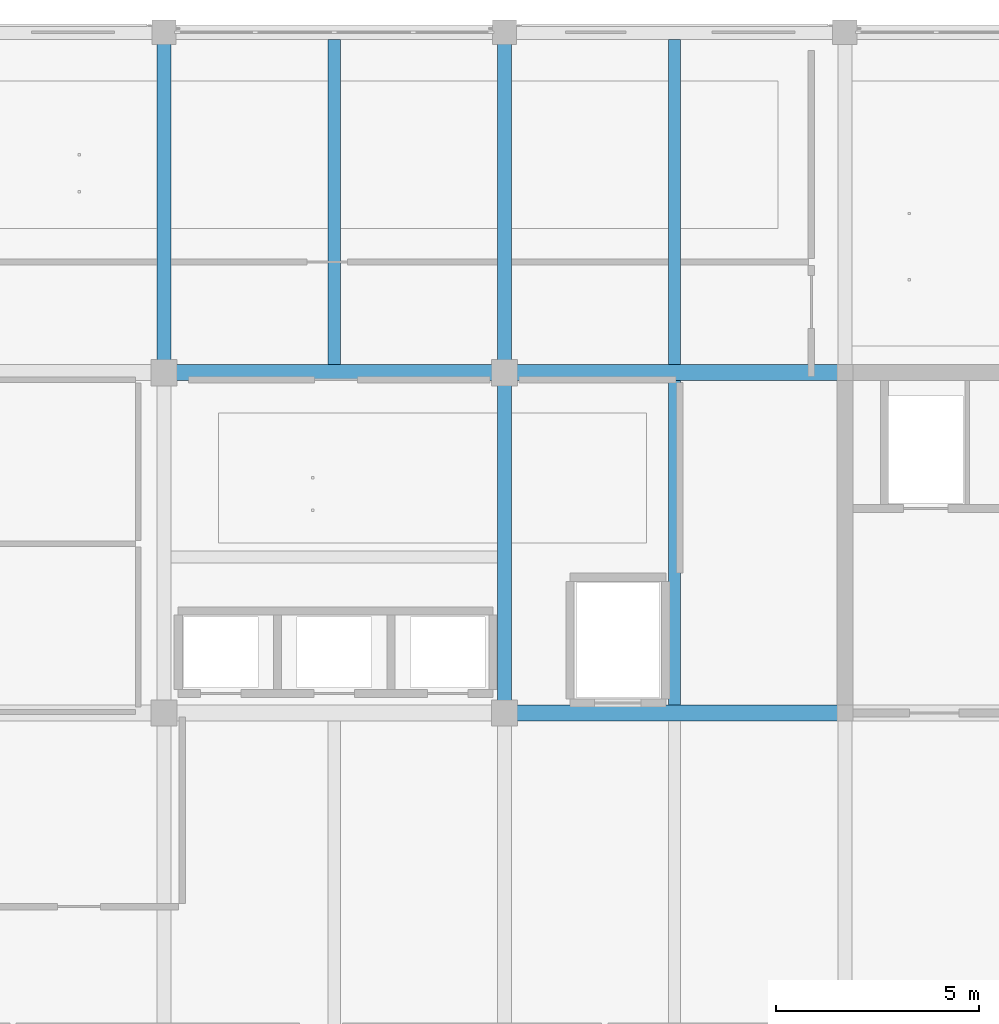
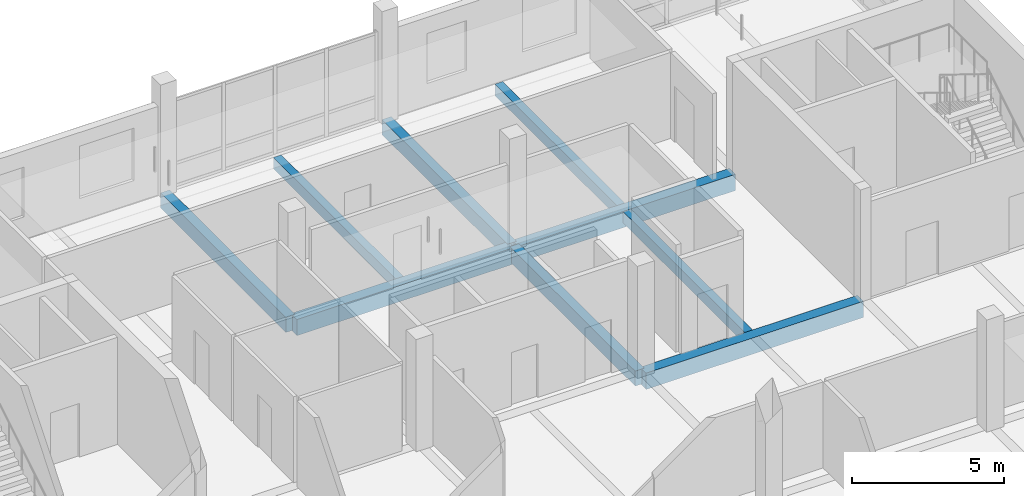
# One storey, part 5 of 29: 9 beams.
"""IFC4 building model written with IfcOpenShell, lengths in metres."""

from ifc_helpers import new_model, si_unit, direction, frame, origin, origin_2d, place, context, subcontext, project, spatial, rectangle, extrude, material, material_profile, profile_set, type_object, element, save


model = new_model("IFC4")

# Units and contexts
model_context = context("Model", 3, precision=1e-05, world=origin(), true_north=direction((0.0, 1.0)))
body_context = subcontext(model_context, "Body", "Model", "MODEL_VIEW")
ifc_project = project(units=[si_unit("LENGTHUNIT", "METRE"), si_unit("AREAUNIT", "SQUARE_METRE"), si_unit("VOLUMEUNIT", "CUBIC_METRE"), si_unit("PLANEANGLEUNIT", "RADIAN"), si_unit("MASSUNIT", "GRAM", prefix="KILO")], contexts=[model_context])

# Site, building, storey
site_placement = place(None, origin())
site = spatial("IfcSite", under=ifc_project, at=site_placement, CompositionType="ELEMENT")
building_placement = place(site_placement, origin())
building = spatial("IfcBuilding", under=site, at=building_placement, Name="Telukmera Botanical Conservatory", CompositionType="ELEMENT")
storey_placement = place(building_placement, frame((0.0, 0.0, 55.5)))
storey = spatial("IfcBuildingStorey", under=building, at=storey_placement, Name="L12", CompositionType="ELEMENT", Elevation=55.5)

# Beams
ifc_material = material(Name="Concrete C40/50", Category="concrete")
ifc_material_profile_1 = material_profile(ifc_material, rectangle(XDim=0.300048828125, YDim=0.449951171875, at=origin_2d()), Name="RC 300x450")
ifc_profile_set_1 = profile_set([ifc_material_profile_1], Name="Concrete C40/50")
beam_type_1 = type_object("IfcBeamType", Name="Beam_B25", PredefinedType="JOIST", material=ifc_profile_set_1)
beam_1_placement = place(storey_placement, frame((79.800048828125, 34.60009765625, -0.22509765625), z_axis=(0.0, 1.0, 0.0), x_axis=(-1.0, 0.0, 0.0)))
element("IfcBeam", 1, at=beam_1_placement, inside=storey, type_object=beam_type_1, Name="Tower Secondary Floor Joist L12", PredefinedType="JOIST", context=body_context, shape_type="SweptSolid", body=[
    extrude(rectangle(XDim=0.300048828125, YDim=0.449951171875, at=origin_2d()), origin(), (0.0, 0.0, 1.0), 8.02490234375),
])
beam_2_placement = place(storey_placement, frame((88.199951171875, 26.199951171875, -0.22509765625), z_axis=(0.0, 1.0, 0.0), x_axis=(-1.0, 0.0, 0.0)))
element("IfcBeam", 2, at=beam_2_placement, inside=storey, type_object=beam_type_1, Name="Tower Secondary Floor Joist L12", PredefinedType="JOIST", context=body_context, shape_type="SweptSolid", body=[
    extrude(rectangle(XDim=0.300048828125, YDim=0.449951171875, at=origin_2d()), origin(), (0.0, 0.0, 1.0), 8.0),
])
beam_3_placement = place(storey_placement, frame((88.199951171875, 34.60009765625, -0.22509765625), z_axis=(0.0, 1.0, 0.0), x_axis=(-1.0, 0.0, 0.0)))
element("IfcBeam", 3, at=beam_3_placement, inside=storey, type_object=beam_type_1, Name="Tower Secondary Floor Joist L12", PredefinedType="JOIST", context=body_context, shape_type="SweptSolid", body=[
    extrude(rectangle(XDim=0.300048828125, YDim=0.449951171875, at=origin_2d()), origin(), (0.0, 0.0, 1.0), 8.02490234375),
])
ifc_material_profile_2 = material_profile(ifc_material, rectangle(XDim=0.39990234375, YDim=0.64990234375, at=origin_2d()), Name="RC 400x650")
ifc_profile_set_2 = profile_set([ifc_material_profile_2], Name="Concrete C40/50")
beam_type_2 = type_object("IfcBeamType", Name="Beam_B8", PredefinedType="BEAM", material=ifc_profile_set_2)
for number, where, z_axis, x_axis, name in (
    (4, (84.080078125, 26.0, -0.324951171875), (1.0, 0.0, 0.0), (0.0, 1.0, 0.0), "Tower Grid Beam L12"),
    (5, (75.679931640625, 34.39990234375, -0.324951171875), (1.0, 0.0, 0.0), (0.0, 1.0, 0.0), "Tower Grid Beam L12"),
    (6, (84.080078125, 34.39990234375, -0.324951171875), (1.0, 0.0, 0.0), (0.0, 1.0, 0.0), "Tower Grid Beam L12"),
):
    element("IfcBeam", number, at=place(storey_placement, frame(where, z_axis=z_axis, x_axis=x_axis)), inside=storey, type_object=beam_type_2, Name=name, PredefinedType="BEAM", context=body_context, shape_type="SweptSolid", body=[
        extrude(rectangle(XDim=0.39990234375, YDim=0.64990234375, at=origin_2d()), origin(), (0.0, 0.0, 1.0), 8.239990234375),
    ])
ifc_material_profile_3 = material_profile(ifc_material, rectangle(XDim=0.35009765625, YDim=0.60009765625, at=origin_2d()), Name="RC 350x600")
ifc_profile_set_3 = profile_set([ifc_material_profile_3], Name="Concrete C40/50")
beam_type_3 = type_object("IfcBeamType", Name="Beam_B9", PredefinedType="BEAM", material=ifc_profile_set_3)
for number, where, z_axis, x_axis, name in (
    (7, (75.60009765625, 34.47998046875, -0.300048828125), (0.0, 1.0, 0.0), (-1.0, 0.0, 0.0), "Tower Transverse Beam L12"),
    (8, (84.0, 26.080078125, -0.300048828125), (0.0, 1.0, 0.0), (-1.0, 0.0, 0.0), "Tower Transverse Beam L12"),
    (9, (84.0, 34.47998046875, -0.300048828125), (0.0, 1.0, 0.0), (-1.0, 0.0, 0.0), "Tower Transverse Beam L12"),
):
    element("IfcBeam", number, at=place(storey_placement, frame(where, z_axis=z_axis, x_axis=x_axis)), inside=storey, type_object=beam_type_3, Name=name, PredefinedType="BEAM", context=body_context, shape_type="SweptSolid", body=[
        extrude(rectangle(XDim=0.35009765625, YDim=0.60009765625, at=origin_2d()), origin(), (0.0, 0.0, 1.0), 8.239990234375),
    ])

save(model, "model.ifc")
